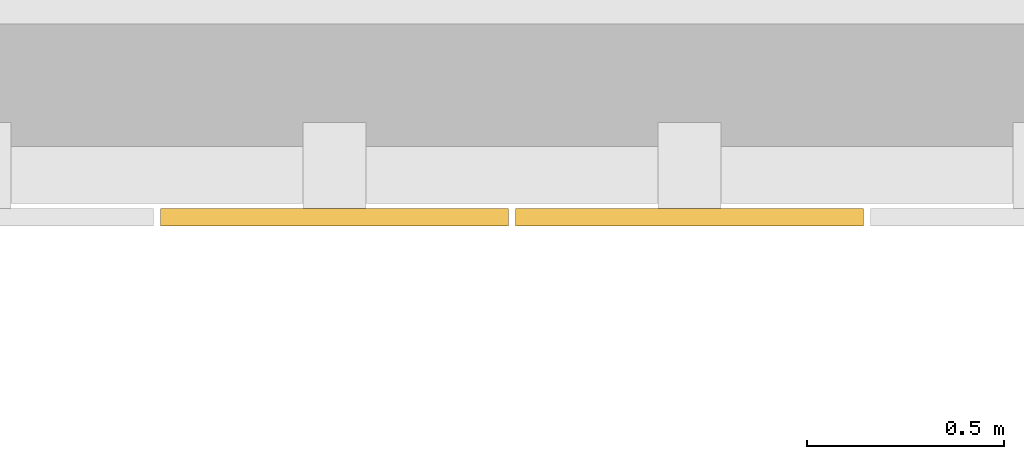
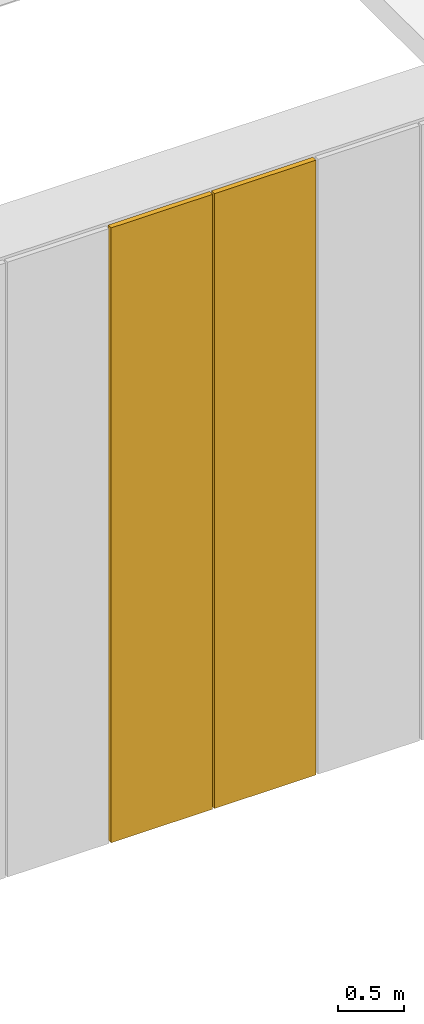
# One storey, part 98 of 105: 2 coverings.
"""IFC4 building model written with IfcOpenShell, lengths in metres."""

from ifc_helpers import new_model, si_unit, direction, frame, origin, origin_2d, place, context, subcontext, project, spatial, rectangle, extrude, material, layer, layer_set, type_object, element, save


model = new_model("IFC4")

# Units and contexts
model_context = context("Model", 3, precision=1e-05, world=origin(), true_north=direction((0.0, 1.0)))
body_context = subcontext(model_context, "Body", "Model", "MODEL_VIEW")
ifc_project = project(units=[si_unit("LENGTHUNIT", "METRE"), si_unit("AREAUNIT", "SQUARE_METRE"), si_unit("VOLUMEUNIT", "CUBIC_METRE"), si_unit("PLANEANGLEUNIT", "RADIAN"), si_unit("MASSUNIT", "GRAM", prefix="KILO")], contexts=[model_context])

# Site, building, storey
site_placement = place(None, origin())
site = spatial("IfcSite", under=ifc_project, at=site_placement, CompositionType="ELEMENT")
building_placement = place(site_placement, origin())
building = spatial("IfcBuilding", under=site, at=building_placement, Name="Tizgana Railside Sports Hall", CompositionType="ELEMENT")
storey_placement = place(building_placement, frame((0.0, 0.0, 6.0)))
storey = spatial("IfcBuildingStorey", under=building, at=storey_placement, Name="L01", CompositionType="ELEMENT", Elevation=6.0)

# Coverings
ifc_material = material(Name="Anodised perforated aluminium screen", Category="aluminium")
ifc_layer = layer(ifc_material, 0.044921875, Name="Anodised perforated aluminium screen")
ifc_layer_set = layer_set([ifc_layer], Name="Anodised perforated aluminium screen")
covering_type = type_object("IfcCoveringType", Name="Perforated Aluminium Hall Screen 900", PredefinedType="CLADDING", material=ifc_layer_set)
for number, where, z_axis, x_axis, name in (
    (1, (127.9033203125, 40.465087890625, -0.030029296875), (0.0, 0.0, 1.0), (-1.0, 0.0, 0.0), "L01 Perforated Screen SCR-0392"),
    (2, (127.003662109375, 40.465087890625, -0.030029296875), (0.0, 0.0, 1.0), (-1.0, 0.0, 0.0), "L01 Perforated Screen SCR-0393"),
):
    element("IfcCovering", number, at=place(storey_placement, frame(where, z_axis=z_axis, x_axis=x_axis)), inside=storey, type_object=covering_type, Name=name, PredefinedType="CLADDING", context=body_context, shape_type="SweptSolid", body=[
        extrude(rectangle(XDim=0.881591796875, YDim=0.044921875, at=origin_2d()), origin(), (0.0, 0.0, 1.0), 5.64990234375),
    ])

save(model, "model.ifc")
